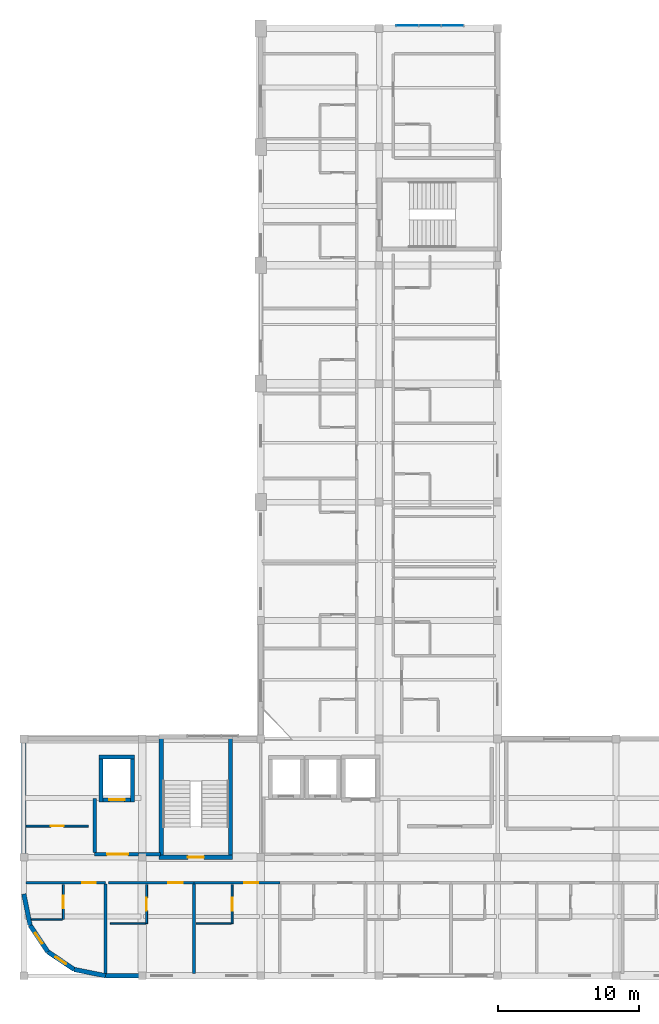
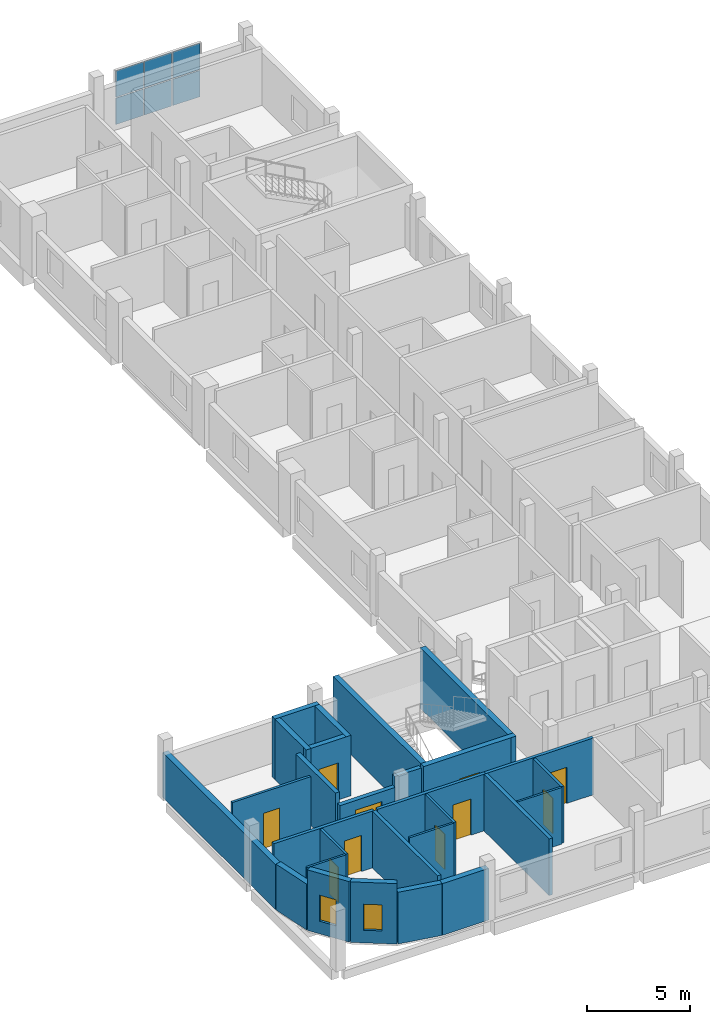
# One storey, part 9 of 20: 28 walls, 10 doors, 6 plates, 2 windows, 12 openings, 1 element without a shape of its own.
"""IFC4 building model written with IfcOpenShell, lengths in metres."""

from ifc_helpers import new_model, si_unit, derived_unit, direction, frame, frame_2d, origin, origin_2d, place, context, subcontext, project, spatial, rectangle, extrude, material, layer, layer_set, type_object, element, fill, aggregate, save


model = new_model("IFC4")

# Units and contexts
model_context = context("Model", 3, precision=1e-05, world=origin(), true_north=direction((0.0, 1.0)))
body_context = subcontext(model_context, "Body", "Model", "MODEL_VIEW")
ifc_project = project(units=[si_unit("LENGTHUNIT", "METRE"), si_unit("AREAUNIT", "SQUARE_METRE"), si_unit("VOLUMEUNIT", "CUBIC_METRE"), si_unit("PLANEANGLEUNIT", "RADIAN"), si_unit("MASSUNIT", "GRAM", prefix="KILO"), derived_unit("THERMALTRANSMITTANCEUNIT", [(si_unit("POWERUNIT", "WATT"), 1), (si_unit("LENGTHUNIT", "METRE"), -2), (si_unit("THERMODYNAMICTEMPERATUREUNIT", "KELVIN"), -1)])], contexts=[model_context])

# Site, building, storey
site_placement = place(None, origin())
site = spatial("IfcSite", under=ifc_project, at=site_placement, CompositionType="ELEMENT")
building_placement = place(site_placement, origin())
building = spatial("IfcBuilding", under=site, at=building_placement, Name="Barrovel Congress Hotel", CompositionType="ELEMENT")
storey_placement = place(building_placement, frame((0.0, 0.0, 36.300048828125)))
storey = spatial("IfcBuildingStorey", under=building, at=storey_placement, Name="L09", CompositionType="ELEMENT", Elevation=36.300048828125)

# Curtain wall, plates
ifc_material_1 = material(Name="Anodised Aluminium Alloy 6063-T6", Category="aluminium")
curtain_wall_type = type_object("IfcCurtainWallType", Name="CW-UN-4800x3200", PredefinedType="USERDEFINED", material=ifc_material_1)
curtain_wall_placement = place(storey_placement, origin())
curtain_wall = element("IfcCurtainWall", 1, at=curtain_wall_placement, inside=storey, type_object=curtain_wall_type, Name="CW:L09:UN-2", ObjectType="UNITISED CURTAIN WALL", PredefinedType="USERDEFINED")
ifc_material_2 = material(Name="Double Low-E Insulated Glazing", Category="glass")
ifc_layer_1 = layer(ifc_material_2, 0.028076171875)
ifc_layer_set_1 = layer_set([ifc_layer_1], Name="Double Low-E Insulated Glazing")
plate_type = type_object("IfcPlateType", Name="CWP-28", PredefinedType="CURTAIN_PANEL", material=ifc_layer_set_1)
plate_1_placement = place(storey_placement, frame((44.0, 71.6201171875, 0.030029296875), z_axis=(0.0, 0.0, 1.0), x_axis=(1.0, 0.0, 0.0)))
plate_1 = element("IfcPlate", 2, at=plate_1_placement, type_object=plate_type, Name="CW:L09:UN-2:P0-0", PredefinedType="CURTAIN_PANEL", context=body_context, shape_type="SweptSolid", body=[
    extrude(rectangle(XDim=1.5400390625, YDim=0.028076171875, at=origin_2d()), origin(), (0.0, 0.0, 1.0), 1.56494140625),
])
plate_2_placement = place(storey_placement, frame((44.0, 71.6201171875, 1.655029296875), z_axis=(0.0, 0.0, 1.0), x_axis=(1.0, 0.0, 0.0)))
plate_2 = element("IfcPlate", 3, at=plate_2_placement, type_object=plate_type, Name="CW:L09:UN-2:P0-1", PredefinedType="CURTAIN_PANEL", context=body_context, shape_type="SweptSolid", body=[
    extrude(rectangle(XDim=1.5400390625, YDim=0.028076171875, at=origin_2d()), origin(), (0.0, 0.0, 1.0), 1.56494140625),
])
plate_3_placement = place(storey_placement, frame((45.60009765625, 71.6201171875, 0.030029296875), z_axis=(0.0, 0.0, 1.0), x_axis=(1.0, 0.0, 0.0)))
plate_3 = element("IfcPlate", 4, at=plate_3_placement, type_object=plate_type, Name="CW:L09:UN-2:P1-0", PredefinedType="CURTAIN_PANEL", context=body_context, shape_type="SweptSolid", body=[
    extrude(rectangle(XDim=1.5400390625, YDim=0.028076171875, at=origin_2d()), origin(), (0.0, 0.0, 1.0), 1.56494140625),
])
plate_4_placement = place(storey_placement, frame((45.60009765625, 71.6201171875, 1.655029296875), z_axis=(0.0, 0.0, 1.0), x_axis=(1.0, 0.0, 0.0)))
plate_4 = element("IfcPlate", 5, at=plate_4_placement, type_object=plate_type, Name="CW:L09:UN-2:P1-1", PredefinedType="CURTAIN_PANEL", context=body_context, shape_type="SweptSolid", body=[
    extrude(rectangle(XDim=1.5400390625, YDim=0.028076171875, at=origin_2d()), origin(), (0.0, 0.0, 1.0), 1.56494140625),
])
plate_5_placement = place(storey_placement, frame((47.199951171875, 71.6201171875, 0.030029296875), z_axis=(0.0, 0.0, 1.0), x_axis=(1.0, 0.0, 0.0)))
plate_5 = element("IfcPlate", 6, at=plate_5_placement, type_object=plate_type, Name="CW:L09:UN-2:P2-0", PredefinedType="CURTAIN_PANEL", context=body_context, shape_type="SweptSolid", body=[
    extrude(rectangle(XDim=1.5400390625, YDim=0.028076171875, at=origin_2d()), origin(), (0.0, 0.0, 1.0), 1.56494140625),
])
plate_6_placement = place(storey_placement, frame((47.199951171875, 71.6201171875, 1.655029296875), z_axis=(0.0, 0.0, 1.0), x_axis=(1.0, 0.0, 0.0)))
plate_6 = element("IfcPlate", 7, at=plate_6_placement, type_object=plate_type, Name="CW:L09:UN-2:P2-1", PredefinedType="CURTAIN_PANEL", context=body_context, shape_type="SweptSolid", body=[
    extrude(rectangle(XDim=1.5400390625, YDim=0.028076171875, at=origin_2d()), origin(), (0.0, 0.0, 1.0), 1.56494140625),
])
aggregate(curtain_wall, [plate_1, plate_2, plate_3, plate_4, plate_5, plate_6])

# Wall
ifc_material_3 = material(Name="Fired Clay Brick Masonry", Category="masonry")
ifc_layer_2 = layer(ifc_material_3, 0.320068359375)
ifc_layer_set_2 = layer_set([ifc_layer_2], Name="Fired Clay Brick Masonry")
wall_type_1 = type_object("IfcWallType", Name="EW-BRK320", PredefinedType="STANDARD", material=ifc_layer_set_2)
wall_1_placement = place(storey_placement, frame((16.800048828125, 10.0, 0.0), z_axis=(0.0, 0.0, 1.0), x_axis=(0.195057908159, -0.980791727363, 0.0)))
element("IfcWall", 8, at=wall_1_placement, inside=storey, type_object=wall_type_1, Name="EW:L09:PROW-1", PredefinedType="STANDARD", context=body_context, shape_type="SweptSolid", body=[
    extrude(rectangle(XDim=2.262939453125, YDim=0.320068359375, at=frame_2d((1.13134765625, 0.0))), origin(), (0.0, 0.0, 1.0), 2.72998046875),
])

# Wall, opening, window
wall_2_placement = place(storey_placement, frame((17.241455078125, 7.780517578125, 0.0), z_axis=(0.0, 0.0, 1.0), x_axis=(0.555546297918, -0.831485604728, 0.0)))
wall_2 = element("IfcWall", 9, at=wall_2_placement, inside=storey, type_object=wall_type_1, Name="EW:L09:PROW-2", PredefinedType="STANDARD", context=body_context, shape_type="SweptSolid", body=[
    extrude(rectangle(XDim=2.26318359375, YDim=0.320068359375, at=frame_2d((1.131591796875, 0.0))), origin(), (0.0, 0.0, 1.0), 3.599853515625),
])
opening_1_placement = place(wall_2_placement, frame((0.64990234375, 0.0, 0.75)))
opening_1 = element("IfcOpeningElement", 10, at=opening_1_placement, cuts=wall_2, Name="Opening WN-11", PredefinedType="OPENING", context=body_context, shape_type="SweptSolid", body=[
    extrude(rectangle(XDim=0.89990234375, YDim=1.550048828125, at=frame_2d((0.449951171875, 0.77490234375))), frame((0.0, 0.169921875, 0.0), z_axis=(0.0, -1.0, 0.0), x_axis=(1.0, 0.0, 0.0)), (0.0, 0.0, 1.0), 0.340087890625),
])
window_type = type_object("IfcWindowType", Name="WIN-WN-11", PartitioningType="SINGLE_PANEL", PredefinedType="WINDOW", material=ifc_material_2)
window_1_placement = place(opening_1_placement, origin())
window_1 = element("IfcWindow", 11, at=window_1_placement, inside=storey, type_object=window_type, Name="WIN:L09:PROW-2", OverallHeight=1.550048828125, OverallWidth=0.89990234375, PartitioningType="SINGLE_PANEL", PredefinedType="WINDOW", context=body_context, shape_type="SweptSolid", body=[
    extrude(rectangle(XDim=0.89990234375, YDim=1.550048828125, at=frame_2d((0.449951171875, 0.77490234375))), frame((0.0, 0.030029296875, 0.0), z_axis=(0.0, -1.0, 0.0), x_axis=(1.0, 0.0, 0.0)), (0.0, 0.0, 1.0), 0.06005859375),
])
fill(opening_1, window_1)

wall_3_placement = place(storey_placement, frame((18.498779296875, 5.898681640625, 0.0), z_axis=(0.0, 0.0, 1.0), x_axis=(0.831502143458, -0.555521543618, 0.0)))
wall_3 = element("IfcWall", 12, at=wall_3_placement, inside=storey, type_object=wall_type_1, Name="EW:L09:PROW-3", PredefinedType="STANDARD", context=body_context, shape_type="SweptSolid", body=[
    extrude(rectangle(XDim=2.262939453125, YDim=0.320068359375, at=frame_2d((1.13134765625, 0.0))), origin(), (0.0, 0.0, 1.0), 3.599853515625),
])
opening_2_placement = place(wall_3_placement, frame((0.64990234375, 0.0, 0.75)))
opening_2 = element("IfcOpeningElement", 13, at=opening_2_placement, cuts=wall_3, Name="Opening WN-11", PredefinedType="OPENING", context=body_context, shape_type="SweptSolid", body=[
    extrude(rectangle(XDim=0.89990234375, YDim=1.550048828125, at=frame_2d((0.449951171875, 0.77490234375))), frame((0.0, 0.169921875, 0.0), z_axis=(0.0, -1.0, 0.0), x_axis=(1.0, 0.0, 0.0)), (0.0, 0.0, 1.0), 0.340087890625),
])
window_2_placement = place(opening_2_placement, origin())
window_2 = element("IfcWindow", 14, at=window_2_placement, inside=storey, type_object=window_type, Name="WIN:L09:PROW-3", OverallHeight=1.550048828125, OverallWidth=0.89990234375, PartitioningType="SINGLE_PANEL", PredefinedType="WINDOW", context=body_context, shape_type="SweptSolid", body=[
    extrude(rectangle(XDim=0.89990234375, YDim=1.550048828125, at=frame_2d((0.449951171875, 0.77490234375))), frame((0.0, 0.030029296875, 0.0), z_axis=(0.0, -1.0, 0.0), x_axis=(1.0, 0.0, 0.0)), (0.0, 0.0, 1.0), 0.06005859375),
])
fill(opening_2, window_2)

# Walls
wall_4_placement = place(storey_placement, frame((20.38037109375, 4.6416015625, 0.0), z_axis=(0.0, 0.0, 1.0), x_axis=(0.98077519094, -0.195141038321, 0.0)))
element("IfcWall", 15, at=wall_4_placement, inside=storey, type_object=wall_type_1, Name="EW:L09:PROW-4", PredefinedType="STANDARD", context=body_context, shape_type="SweptSolid", body=[
    extrude(rectangle(XDim=2.26318359375, YDim=0.320068359375, at=frame_2d((1.131591796875, 0.0))), origin(), (0.0, 0.0, 1.0), 3.0751953125),
])
wall_5_placement = place(storey_placement, frame((16.800048828125, 21.0, 0.0), z_axis=(0.0, 0.0, 1.0), x_axis=(0.0, -1.0, 0.0)))
element("IfcWall", 16, at=wall_5_placement, inside=storey, type_object=wall_type_1, Name="EW:L09:HS-SW", PredefinedType="STANDARD", context=body_context, shape_type="SweptSolid", body=[
    extrude(rectangle(XDim=11.0, YDim=0.320068359375, at=frame_2d((5.5, 0.0))), origin(), (0.0, 0.0, 1.0), 2.679931640625),
])
wall_6_placement = place(storey_placement, frame((22.60009765625, 4.199951171875, 0.0), z_axis=(0.0, 0.0, 1.0), x_axis=(1.0, 0.0, 0.0)))
element("IfcWall", 17, at=wall_6_placement, inside=storey, type_object=wall_type_1, Name="EW:L09:HS-S:P01", PredefinedType="STANDARD", context=body_context, shape_type="SweptSolid", body=[
    extrude(rectangle(XDim=2.599853515625, YDim=0.320068359375, at=frame_2d((1.2998046875, 0.0))), origin(), (0.0, 0.0, 1.0), 3.0751953125),
])

# Wall, opening, door
ifc_material_4 = material(Name="Gypsum Acoustic Stud", Category="gypsum")
ifc_layer_3 = layer(ifc_material_4, 0.179931640625)
ifc_layer_set_3 = layer_set([ifc_layer_3], Name="Gypsum Acoustic Stud")
wall_type_2 = type_object("IfcWallType", Name="PW-ACU-180", PredefinedType="PARTITIONING", material=ifc_layer_set_3)
wall_7_placement = place(storey_placement, frame((16.9599609375, 10.800048828125, 0.0), z_axis=(0.0, 0.0, 1.0), x_axis=(1.0, 0.0, 0.0)))
wall_7 = element("IfcWall", 18, at=wall_7_placement, inside=storey, type_object=wall_type_2, Name="PW:L09:U01:COR", PredefinedType="PARTITIONING", context=body_context, shape_type="SweptSolid", body=[
    extrude(rectangle(XDim=5.64013671875, YDim=0.179931640625, at=frame_2d((2.820068359375, 0.0))), origin(), (0.0, 0.0, 1.0), 3.375),
])
opening_3_placement = place(wall_7_placement, frame((3.97509765625, 0.0, 0.0)))
opening_3 = element("IfcOpeningElement", 19, at=opening_3_placement, cuts=wall_7, Name="Opening ID-HTL", PredefinedType="OPENING", context=body_context, shape_type="SweptSolid", body=[
    extrude(rectangle(XDim=0.9599609375, YDim=2.14990234375, at=frame_2d((0.47998046875, 1.074951171875))), frame((0.0, 0.10009765625, 0.0), z_axis=(0.0, -1.0, 0.0), x_axis=(1.0, 0.0, 0.0)), (0.0, 0.0, 1.0), 0.199951171875),
])
ifc_material_5 = material(Name="Solid Oak Acoustic Timber Door", Category="wood")
door_type_1 = type_object("IfcDoorType", Name="IDR-ID-HTL", OperationType="NOTDEFINED", PredefinedType="DOOR", material=ifc_material_5)
door_1_placement = place(opening_3_placement, origin())
door_1 = element("IfcDoor", 20, at=door_1_placement, inside=storey, type_object=door_type_1, Name="DR:L09:U01:ENT", OperationType="SINGLE_SWING_RIGHT", OverallHeight=2.14990234375, OverallWidth=0.9599609375, PredefinedType="DOOR", context=body_context, shape_type="SweptSolid", body=[
    extrude(rectangle(XDim=0.9599609375, YDim=2.14990234375, at=frame_2d((0.47998046875, 1.074951171875))), frame((0.0, 0.02490234375, 0.0), z_axis=(0.0, -1.0, 0.0), x_axis=(1.0, 0.0, 0.0)), (0.0, 0.0, 1.0), 0.050048828125),
])
fill(opening_3, door_1)

wall_8_placement = place(storey_placement, frame((22.800048828125, 10.800048828125, 0.0), z_axis=(0.0, 0.0, 1.0), x_axis=(1.0, 0.0, 0.0)))
wall_8 = element("IfcWall", 21, at=wall_8_placement, inside=storey, type_object=wall_type_2, Name="PW:L09:U02:COR", PredefinedType="PARTITIONING", context=body_context, shape_type="SweptSolid", body=[
    extrude(rectangle(XDim=6.076904296875, YDim=0.179931640625, at=frame_2d((3.03857421875, 0.0))), origin(), (0.0, 0.0, 1.0), 3.375),
])
opening_4_placement = place(wall_8_placement, frame((4.23876953125, 0.0, 0.0)))
opening_4 = element("IfcOpeningElement", 22, at=opening_4_placement, cuts=wall_8, Name="Opening ID-ACC", PredefinedType="OPENING", context=body_context, shape_type="SweptSolid", body=[
    extrude(rectangle(XDim=1.02001953125, YDim=2.14990234375, at=frame_2d((0.510009765625, 1.074951171875))), frame((0.0, 0.10009765625, 0.0), z_axis=(0.0, -1.0, 0.0), x_axis=(1.0, 0.0, 0.0)), (0.0, 0.0, 1.0), 0.199951171875),
])
door_type_2 = type_object("IfcDoorType", Name="IDR-ID-ACC", OperationType="NOTDEFINED", PredefinedType="DOOR", material=ifc_material_5)
door_2_placement = place(opening_4_placement, origin())
door_2 = element("IfcDoor", 23, at=door_2_placement, inside=storey, type_object=door_type_2, Name="DR:L09:U02:ENT", OperationType="SINGLE_SWING_RIGHT", OverallHeight=2.14990234375, OverallWidth=1.02001953125, PredefinedType="DOOR", context=body_context, shape_type="SweptSolid", body=[
    extrude(rectangle(XDim=1.02001953125, YDim=2.14990234375, at=frame_2d((0.510009765625, 1.074951171875))), frame((0.0, 0.02490234375, 0.0), z_axis=(0.0, -1.0, 0.0), x_axis=(1.0, 0.0, 0.0)), (0.0, 0.0, 1.0), 0.050048828125),
])
fill(opening_4, door_2)

wall_9_placement = place(storey_placement, frame((28.876953125, 10.800048828125, 0.0), z_axis=(0.0, 0.0, 1.0), x_axis=(1.0, 0.0, 0.0)))
wall_9 = element("IfcWall", 24, at=wall_9_placement, inside=storey, type_object=wall_type_2, Name="PW:L09:U03:COR", PredefinedType="PARTITIONING", context=body_context, shape_type="SweptSolid", body=[
    extrude(rectangle(XDim=6.076904296875, YDim=0.179931640625, at=frame_2d((3.03857421875, 0.0))), origin(), (0.0, 0.0, 1.0), 3.375),
])
opening_5_placement = place(wall_9_placement, frame((3.538818359375, 0.0, 0.0)))
opening_5 = element("IfcOpeningElement", 25, at=opening_5_placement, cuts=wall_9, Name="Opening ID-ACC", PredefinedType="OPENING", context=body_context, shape_type="SweptSolid", body=[
    extrude(rectangle(XDim=1.02001953125, YDim=2.14990234375, at=frame_2d((0.510009765625, 1.074951171875))), frame((0.0, 0.10009765625, 0.0), z_axis=(0.0, -1.0, 0.0), x_axis=(1.0, 0.0, 0.0)), (0.0, 0.0, 1.0), 0.199951171875),
])
door_3_placement = place(opening_5_placement, origin())
door_3 = element("IfcDoor", 26, at=door_3_placement, inside=storey, type_object=door_type_2, Name="DR:L09:U03:ENT", OperationType="SINGLE_SWING_RIGHT", OverallHeight=2.14990234375, OverallWidth=1.02001953125, PredefinedType="DOOR", context=body_context, shape_type="SweptSolid", body=[
    extrude(rectangle(XDim=1.02001953125, YDim=2.14990234375, at=frame_2d((0.510009765625, 1.074951171875))), frame((0.0, 0.02490234375, 0.0), z_axis=(0.0, -1.0, 0.0), x_axis=(1.0, 0.0, 0.0)), (0.0, 0.0, 1.0), 0.050048828125),
])
fill(opening_5, door_3)

# Walls
ifc_layer_4 = layer(ifc_material_4, 0.1201171875)
ifc_layer_set_4 = layer_set([ifc_layer_4], Name="Gypsum Acoustic Stud")
wall_type_3 = type_object("IfcWallType", Name="PW-INT-120", PredefinedType="PARTITIONING", material=ifc_layer_set_4)
wall_10_placement = place(storey_placement, frame((17.340087890625, 8.199951171875, 0.0), z_axis=(0.0, 0.0, 1.0), x_axis=(1.0, 0.0, 0.0)))
element("IfcWall", 27, at=wall_10_placement, inside=storey, type_object=wall_type_3, Name="PW:L09:U01:B2", PredefinedType="PARTITIONING", context=body_context, shape_type="SweptSolid", body=[
    extrude(rectangle(XDim=2.18994140625, YDim=0.1201171875, at=frame_2d((1.094970703125, 0.0))), origin(), (0.0, 0.0, 1.0), 3.375),
])
for number, where, z_axis, x_axis, name in (
    (28, (22.93994140625, 7.89990234375, 0.0), (0.0, 0.0, 1.0), (1.0, 0.0, 0.0), "PW:L09:U02:B2"),
    (29, (29.016845703125, 7.89990234375, 0.0), (0.0, 0.0, 1.0), (1.0, 0.0, 0.0), "PW:L09:U03:B2"),
):
    element("IfcWall", number, at=place(storey_placement, frame(where, z_axis=z_axis, x_axis=x_axis)), inside=storey, type_object=wall_type_3, Name=name, PredefinedType="PARTITIONING", context=body_context, shape_type="SweptSolid", body=[
        extrude(rectangle(XDim=2.489990234375, YDim=0.1201171875, at=frame_2d((1.2451171875, 0.0))), origin(), (0.0, 0.0, 1.0), 3.375),
    ])
ifc_layer_5 = layer(ifc_material_3, 0.199951171875)
ifc_layer_set_5 = layer_set([ifc_layer_5], Name="Fired Clay Brick Masonry")
wall_type_4 = type_object("IfcWallType", Name="PW-MAS-200", PredefinedType="PARTITIONING", material=ifc_layer_set_5)
for number, where, z_axis, x_axis, name in (
    (30, (22.60009765625, 4.360107421875, 0.0), (0.0, 0.0, 1.0), (0.0, 1.0, 0.0), "PW:L09:U01:DEM"),
    (31, (28.876953125, 4.360107421875, 0.0), (0.0, 0.0, 1.0), (0.0, 1.0, 0.0), "PW:L09:U02:DEM"),
):
    element("IfcWall", number, at=place(storey_placement, frame(where, z_axis=z_axis, x_axis=x_axis)), inside=storey, type_object=wall_type_4, Name=name, PredefinedType="PARTITIONING", context=body_context, shape_type="SweptSolid", body=[
        extrude(rectangle(XDim=6.349853515625, YDim=0.199951171875, at=frame_2d((3.1748046875, 0.0))), origin(), (0.0, 0.0, 1.0), 3.375),
    ])

# Wall, opening, door
ifc_layer_6 = layer(ifc_material_3, 0.239990234375)
ifc_layer_set_6 = layer_set([ifc_layer_6], Name="Fired Clay Brick Masonry")
wall_type_5 = type_object("IfcWallType", Name="PW-MAS-240", PredefinedType="PARTITIONING", material=ifc_layer_set_6)
wall_11_placement = place(storey_placement, frame((21.820068359375, 12.820068359375, 0.0), z_axis=(0.0, 0.0, 1.0), x_axis=(1.0, 0.0, 0.0)))
wall_11 = element("IfcWall", 32, at=wall_11_placement, inside=storey, type_object=wall_type_5, Name="RW:SP:L09:FFL-1:S", PredefinedType="PARTITIONING", context=body_context, shape_type="SweptSolid", body=[
    extrude(rectangle(XDim=3.10498046875, YDim=0.239990234375, at=frame_2d((1.552490234375, 0.0))), origin(), (0.0, 0.0, 1.0), 2.72998046875),
])
opening_6_placement = place(wall_11_placement, frame((0.8798828125, 0.0, 0.0)))
opening_6 = element("IfcOpeningElement", 33, at=opening_6_placement, cuts=wall_11, Name="Opening ID-FFL", PredefinedType="OPENING", context=body_context, shape_type="SweptSolid", body=[
    extrude(rectangle(XDim=1.5, YDim=2.14990234375, at=frame_2d((0.75, 1.074951171875))), frame((0.0, 0.1298828125, 0.0), z_axis=(0.0, -1.0, 0.0), x_axis=(1.0, 0.0, 0.0)), (0.0, 0.0, 1.0), 0.260009765625),
])
ifc_material_6 = material(Name="Painted Hollow-Metal Steel Door", Category="steel")
door_type_3 = type_object("IfcDoorType", Name="IDR-ID-FFL", OperationType="NOTDEFINED", PredefinedType="DOOR", material=ifc_material_6)
door_4_placement = place(opening_6_placement, origin())
door_4 = element("IfcDoor", 34, at=door_4_placement, inside=storey, type_object=door_type_3, Name="RD:SP:L09:FFL-1", OperationType="DOUBLE_DOOR_SINGLE_SWING", OverallHeight=2.14990234375, OverallWidth=1.5, PredefinedType="DOOR", context=body_context, shape_type="SweptSolid", body=[
    extrude(rectangle(XDim=1.5, YDim=2.14990234375, at=frame_2d((0.75, 1.074951171875))), frame((0.0, 0.02490234375, 0.0), z_axis=(0.0, -1.0, 0.0), x_axis=(1.0, 0.0, 0.0)), (0.0, 0.0, 1.0), 0.050048828125),
])
fill(opening_6, door_4)

# Walls
wall_12_placement = place(storey_placement, frame((21.820068359375, 12.93994140625, 0.0), z_axis=(0.0, 0.0, 1.0), x_axis=(0.0, 1.0, 0.0)))
element("IfcWall", 35, at=wall_12_placement, inside=storey, type_object=wall_type_5, Name="RW:SP:L09:FFL-1:W", PredefinedType="PARTITIONING", context=body_context, shape_type="SweptSolid", body=[
    extrude(rectangle(XDim=3.840087890625, YDim=0.239990234375, at=frame_2d((1.919921875, 0.0))), origin(), (0.0, 0.0, 1.0), 3.375),
])
wall_13_placement = place(storey_placement, frame((24.925048828125, 12.820068359375, 0.0), z_axis=(0.0, 0.0, 1.0), x_axis=(1.0, 0.0, 0.0)))
element("IfcWall", 36, at=wall_13_placement, inside=storey, type_object=wall_type_5, Name="RW:SP:L09:FFL-1:S:P02", PredefinedType="PARTITIONING", context=body_context, shape_type="SweptSolid", body=[
    extrude(rectangle(XDim=1.554931640625, YDim=0.239990234375, at=frame_2d((0.77734375, 0.0))), origin(), (0.0, 0.0, 1.0), 3.375),
])

# Wall, opening, door
ifc_material_7 = material(Name="Gypsum Moisture Board", Category="gypsum")
ifc_layer_7 = layer(ifc_material_7, 0.139892578125)
ifc_layer_set_7 = layer_set([ifc_layer_7], Name="Gypsum Moisture Board")
wall_type_6 = type_object("IfcWallType", Name="PW-WET-140", PredefinedType="PARTITIONING", material=ifc_layer_set_7)
wall_14_placement = place(storey_placement, frame((19.60009765625, 8.199951171875, 0.0), z_axis=(0.0, 0.0, 1.0), x_axis=(0.0, 1.0, 0.0)))
wall_14 = element("IfcWall", 37, at=wall_14_placement, inside=storey, type_object=wall_type_6, Name="PW:L09:U01:B1", PredefinedType="PARTITIONING", context=body_context, shape_type="SweptSolid", body=[
    extrude(rectangle(XDim=2.4599609375, YDim=0.139892578125, at=frame_2d((1.22998046875, 0.0))), origin(), (0.0, 0.0, 1.0), 3.375),
])
opening_7_placement = place(wall_14_placement, frame((0.800048828125, 0.0, 0.0)))
opening_7 = element("IfcOpeningElement", 38, at=opening_7_placement, cuts=wall_14, Name="Opening ID-ENS", PredefinedType="OPENING", context=body_context, shape_type="SweptSolid", body=[
    extrude(rectangle(XDim=0.860107421875, YDim=2.10009765625, at=frame_2d((0.43017578125, 1.050048828125))), frame((0.0, 0.080078125, 0.0), z_axis=(0.0, -1.0, 0.0), x_axis=(1.0, 0.0, 0.0)), (0.0, 0.0, 1.0), 0.159912109375),
])
ifc_material_8 = material(Name="Lacquered Timber Moisture Door", Category="wood")
door_type_4 = type_object("IfcDoorType", Name="IDR-ID-ENS", OperationType="NOTDEFINED", PredefinedType="DOOR", material=ifc_material_8)
door_5_placement = place(opening_7_placement, origin())
door_5 = element("IfcDoor", 39, at=door_5_placement, inside=storey, type_object=door_type_4, Name="DR:L09:U01:ENS", OperationType="SINGLE_SWING_LEFT", OverallHeight=2.10009765625, OverallWidth=0.860107421875, PredefinedType="DOOR", context=body_context, shape_type="SweptSolid", body=[
    extrude(rectangle(XDim=0.860107421875, YDim=2.10009765625, at=frame_2d((0.43017578125, 1.050048828125))), frame((0.0, 0.02490234375, 0.0), z_axis=(0.0, -1.0, 0.0), x_axis=(1.0, 0.0, 0.0)), (0.0, 0.0, 1.0), 0.050048828125),
])
fill(opening_7, door_5)

wall_15_placement = place(storey_placement, frame((25.5, 7.89990234375, 0.0), z_axis=(0.0, 0.0, 1.0), x_axis=(0.0, 1.0, 0.0)))
wall_15 = element("IfcWall", 40, at=wall_15_placement, inside=storey, type_object=wall_type_6, Name="PW:L09:U02:B1", PredefinedType="PARTITIONING", context=body_context, shape_type="SweptSolid", body=[
    extrude(rectangle(XDim=2.760009765625, YDim=0.139892578125, at=frame_2d((1.3798828125, 0.0))), origin(), (0.0, 0.0, 1.0), 3.375),
])
opening_8_placement = place(wall_15_placement, frame((0.919921875, 0.0, 0.0)))
opening_8 = element("IfcOpeningElement", 41, at=opening_8_placement, cuts=wall_15, Name="Opening ID-EA2", PredefinedType="OPENING", context=body_context, shape_type="SweptSolid", body=[
    extrude(rectangle(XDim=0.919921875, YDim=2.10009765625, at=frame_2d((0.4599609375, 1.050048828125))), frame((0.0, 0.080078125, 0.0), z_axis=(0.0, -1.0, 0.0), x_axis=(1.0, 0.0, 0.0)), (0.0, 0.0, 1.0), 0.159912109375),
])
door_type_5 = type_object("IfcDoorType", Name="IDR-ID-EA2", OperationType="NOTDEFINED", PredefinedType="DOOR", material=ifc_material_8)
door_6_placement = place(opening_8_placement, origin())
door_6 = element("IfcDoor", 42, at=door_6_placement, inside=storey, type_object=door_type_5, Name="DR:L09:U02:ENS", OperationType="SINGLE_SWING_LEFT", OverallHeight=2.10009765625, OverallWidth=0.919921875, PredefinedType="DOOR", context=body_context, shape_type="SweptSolid", body=[
    extrude(rectangle(XDim=0.919921875, YDim=2.10009765625, at=frame_2d((0.4599609375, 1.050048828125))), frame((0.0, 0.02490234375, 0.0), z_axis=(0.0, -1.0, 0.0), x_axis=(1.0, 0.0, 0.0)), (0.0, 0.0, 1.0), 0.050048828125),
])
fill(opening_8, door_6)

wall_16_placement = place(storey_placement, frame((31.576904296875, 7.89990234375, 0.0), z_axis=(0.0, 0.0, 1.0), x_axis=(0.0, 1.0, 0.0)))
wall_16 = element("IfcWall", 43, at=wall_16_placement, inside=storey, type_object=wall_type_6, Name="PW:L09:U03:B1", PredefinedType="PARTITIONING", context=body_context, shape_type="SweptSolid", body=[
    extrude(rectangle(XDim=2.760009765625, YDim=0.139892578125, at=frame_2d((1.3798828125, 0.0))), origin(), (0.0, 0.0, 1.0), 3.375),
])
opening_9_placement = place(wall_16_placement, frame((0.919921875, 0.0, 0.0)))
opening_9 = element("IfcOpeningElement", 44, at=opening_9_placement, cuts=wall_16, Name="Opening ID-EA2", PredefinedType="OPENING", context=body_context, shape_type="SweptSolid", body=[
    extrude(rectangle(XDim=0.919921875, YDim=2.10009765625, at=frame_2d((0.4599609375, 1.050048828125))), frame((0.0, 0.080078125, 0.0), z_axis=(0.0, -1.0, 0.0), x_axis=(1.0, 0.0, 0.0)), (0.0, 0.0, 1.0), 0.159912109375),
])
door_7_placement = place(opening_9_placement, origin())
door_7 = element("IfcDoor", 45, at=door_7_placement, inside=storey, type_object=door_type_5, Name="DR:L09:U03:ENS", OperationType="SINGLE_SWING_LEFT", OverallHeight=2.10009765625, OverallWidth=0.919921875, PredefinedType="DOOR", context=body_context, shape_type="SweptSolid", body=[
    extrude(rectangle(XDim=0.919921875, YDim=2.10009765625, at=frame_2d((0.4599609375, 1.050048828125))), frame((0.0, 0.02490234375, 0.0), z_axis=(0.0, -1.0, 0.0), x_axis=(1.0, 0.0, 0.0)), (0.0, 0.0, 1.0), 0.050048828125),
])
fill(opening_9, door_7)

wall_17_placement = place(storey_placement, frame((16.9599609375, 14.820068359375, 0.0), z_axis=(0.0, 0.0, 1.0), x_axis=(1.0, 0.0, 0.0)))
wall_17 = element("IfcWall", 46, at=wall_17_placement, inside=storey, type_object=wall_type_6, Name="RW:SP:L09:HKP:S", PredefinedType="PARTITIONING", context=body_context, shape_type="SweptSolid", body=[
    extrude(rectangle(XDim=4.419921875, YDim=0.139892578125, at=frame_2d((2.2099609375, 0.0))), origin(), (0.0, 0.0, 1.0), 3.375),
])
opening_10_placement = place(wall_17_placement, frame((1.760009765625, 0.0, 0.0)))
opening_10 = element("IfcOpeningElement", 47, at=opening_10_placement, cuts=wall_17, Name="Opening ID-WC1", PredefinedType="OPENING", context=body_context, shape_type="SweptSolid", body=[
    extrude(rectangle(XDim=0.89990234375, YDim=2.1201171875, at=frame_2d((0.449951171875, 1.06005859375))), frame((0.0, 0.080078125, 0.0), z_axis=(0.0, -1.0, 0.0), x_axis=(1.0, 0.0, 0.0)), (0.0, 0.0, 1.0), 0.159912109375),
])
door_type_6 = type_object("IfcDoorType", Name="IDR-ID-WC1", OperationType="NOTDEFINED", PredefinedType="DOOR", material=ifc_material_8)
door_8_placement = place(opening_10_placement, origin())
door_8 = element("IfcDoor", 48, at=door_8_placement, inside=storey, type_object=door_type_6, Name="RD:SP:L09:HKP", OperationType="SINGLE_SWING_LEFT", OverallHeight=2.1201171875, OverallWidth=0.89990234375, PredefinedType="DOOR", context=body_context, shape_type="SweptSolid", body=[
    extrude(rectangle(XDim=0.89990234375, YDim=2.1201171875, at=frame_2d((0.449951171875, 1.06005859375))), frame((0.0, 0.02490234375, 0.0), z_axis=(0.0, -1.0, 0.0), x_axis=(1.0, 0.0, 0.0)), (0.0, 0.0, 1.0), 0.050048828125),
])
fill(opening_10, door_8)

ifc_material_9 = material(Name="Concrete C40", Category="concrete")
ifc_layer_8 = layer(ifc_material_9, 0.280029296875)
ifc_layer_set_8 = layer_set([ifc_layer_8], Name="Concrete C40")
wall_type_7 = type_object("IfcWallType", Name="SW-C40-280", PredefinedType="SHEAR", material=ifc_layer_set_8)
wall_18_placement = place(storey_placement, frame((22.139892578125, 16.679931640625, 0.0), z_axis=(0.0, 0.0, 1.0), x_axis=(1.0, 0.0, 0.0)))
wall_18 = element("IfcWall", 49, at=wall_18_placement, inside=storey, type_object=wall_type_7, Name="LSH:FL-1:L09:S", PredefinedType="SHEAR", context=body_context, shape_type="SweptSolid", body=[
    extrude(rectangle(XDim=2.52001953125, YDim=0.280029296875, at=frame_2d((1.260009765625, 0.0))), origin(), (0.0, 0.0, 1.0), 3.599853515625),
])
opening_11_placement = place(wall_18_placement, frame((0.7099609375, 0.0, 0.0)))
opening_11 = element("IfcOpeningElement", 50, at=opening_11_placement, cuts=wall_18, Name="Opening LD-FF", PredefinedType="OPENING", context=body_context, shape_type="SweptSolid", body=[
    extrude(rectangle(XDim=1.10009765625, YDim=2.199951171875, at=frame_2d((0.550048828125, 1.10009765625))), frame((0.0, 0.14990234375, 0.0), z_axis=(0.0, -1.0, 0.0), x_axis=(1.0, 0.0, 0.0)), (0.0, 0.0, 1.0), 0.300048828125),
])
ifc_material_10 = material(Name="Brushed Stainless Steel", Category="steel")
door_type_7 = type_object("IfcDoorType", Name="IDR-LD-FF", OperationType="NOTDEFINED", PredefinedType="DOOR", material=ifc_material_10)
door_9_placement = place(opening_11_placement, origin())
door_9 = element("IfcDoor", 51, at=door_9_placement, inside=storey, type_object=door_type_7, Name="Lift Landing Door LD-FL-1-L09", OperationType="SLIDING_TO_LEFT", OverallHeight=2.199951171875, OverallWidth=1.10009765625, PredefinedType="DOOR", context=body_context, shape_type="SweptSolid", body=[
    extrude(rectangle(XDim=1.10009765625, YDim=2.199951171875, at=frame_2d((0.550048828125, 1.10009765625))), frame((0.0, 0.02490234375, 0.0), z_axis=(0.0, -1.0, 0.0), x_axis=(1.0, 0.0, 0.0)), (0.0, 0.0, 1.0), 0.050048828125),
])
fill(opening_11, door_9)

# Walls
wall_19_placement = place(storey_placement, frame((24.52001953125, 16.5400390625, 0.0), z_axis=(0.0, 0.0, 1.0), x_axis=(0.0, 1.0, 0.0)))
element("IfcWall", 52, at=wall_19_placement, inside=storey, type_object=wall_type_7, Name="LSH:FL-1:L09:E", PredefinedType="SHEAR", context=body_context, shape_type="SweptSolid", body=[
    extrude(rectangle(XDim=3.320068359375, YDim=0.280029296875, at=frame_2d((1.66015625, 0.0))), origin(), (0.0, 0.0, 1.0), 3.599853515625),
])
wall_20_placement = place(storey_placement, frame((24.659912109375, 19.719970703125, 0.0), z_axis=(0.0, 0.0, 1.0), x_axis=(-1.0, 0.0, 0.0)))
element("IfcWall", 53, at=wall_20_placement, inside=storey, type_object=wall_type_7, Name="LSH:FL-1:L09:N", PredefinedType="SHEAR", context=body_context, shape_type="SweptSolid", body=[
    extrude(rectangle(XDim=2.52001953125, YDim=0.280029296875, at=frame_2d((1.260009765625, 0.0))), origin(), (0.0, 0.0, 1.0), 3.599853515625),
])
wall_21_placement = place(storey_placement, frame((22.280029296875, 19.860107421875, 0.0), z_axis=(0.0, 0.0, 1.0), x_axis=(0.0, -1.0, 0.0)))
element("IfcWall", 54, at=wall_21_placement, inside=storey, type_object=wall_type_7, Name="LSH:FL-1:L09:W", PredefinedType="SHEAR", context=body_context, shape_type="SweptSolid", body=[
    extrude(rectangle(XDim=3.320068359375, YDim=0.280029296875, at=frame_2d((1.66015625, 0.0))), origin(), (0.0, 0.0, 1.0), 3.599853515625),
])

# Wall, opening, door
ifc_layer_9 = layer(ifc_material_9, 0.300048828125)
ifc_layer_set_9 = layer_set([ifc_layer_9], Name="Concrete C40")
wall_type_8 = type_object("IfcWallType", Name="SW-C40-300", PredefinedType="SHEAR", material=ifc_layer_set_9)
wall_22_placement = place(storey_placement, frame((26.39990234375, 12.610107421875, 0.0), z_axis=(0.0, 0.0, 1.0), x_axis=(1.0, 0.0, 0.0)))
wall_22 = element("IfcWall", 55, at=wall_22_placement, inside=storey, type_object=wall_type_8, Name="SHW:XS-01:L09:S", PredefinedType="SHEAR", context=body_context, shape_type="SweptSolid", body=[
    extrude(rectangle(XDim=5.2001953125, YDim=0.300048828125, at=frame_2d((2.60009765625, 0.0))), origin(), (0.0, 0.0, 1.0), 3.599853515625),
])
opening_12_placement = place(wall_22_placement, frame((2.02490234375, 0.0, 0.0)))
opening_12 = element("IfcOpeningElement", 56, at=opening_12_placement, cuts=wall_22, Name="Opening ID-ST1", PredefinedType="OPENING", context=body_context, shape_type="SweptSolid", body=[
    extrude(rectangle(XDim=1.14990234375, YDim=2.14990234375, at=frame_2d((0.574951171875, 1.074951171875))), frame((0.0, 0.16015625, 0.0), z_axis=(0.0, -1.0, 0.0), x_axis=(1.0, 0.0, 0.0)), (0.0, 0.0, 1.0), 0.320068359375),
])
door_type_8 = type_object("IfcDoorType", Name="IDR-ID-ST1", OperationType="NOTDEFINED", PredefinedType="DOOR", material=ifc_material_6)
door_10_placement = place(opening_12_placement, origin())
door_10 = element("IfcDoor", 57, at=door_10_placement, inside=storey, type_object=door_type_8, Name="Stair Core Fire Door XS-01-L09", OperationType="SINGLE_SWING_LEFT", OverallHeight=2.14990234375, OverallWidth=1.14990234375, PredefinedType="DOOR", context=body_context, shape_type="SweptSolid", body=[
    extrude(rectangle(XDim=1.14990234375, YDim=2.14990234375, at=frame_2d((0.574951171875, 1.074951171875))), frame((0.0, 0.02490234375, 0.0), z_axis=(0.0, -1.0, 0.0), x_axis=(1.0, 0.0, 0.0)), (0.0, 0.0, 1.0), 0.050048828125),
])
fill(opening_12, door_10)

# Walls
for number, where, z_axis, x_axis, name in (
    (58, (31.449951171875, 12.4599609375, 0.0), (0.0, 0.0, 1.0), (0.0, 1.0, 0.0), "SHW:XS-01:L09:E"),
    (59, (26.550048828125, 21.300048828125, 0.0), (0.0, 0.0, 1.0), (0.0, -1.0, 0.0), "SHW:XS-01:L09:W"),
):
    element("IfcWall", number, at=place(storey_placement, frame(where, z_axis=z_axis, x_axis=x_axis)), inside=storey, type_object=wall_type_8, Name=name, PredefinedType="SHEAR", context=body_context, shape_type="SweptSolid", body=[
        extrude(rectangle(XDim=8.840087890625, YDim=0.300048828125, at=frame_2d((4.419921875, 0.0))), origin(), (0.0, 0.0, 1.0), 3.599853515625),
    ])

save(model, "model.ifc")
